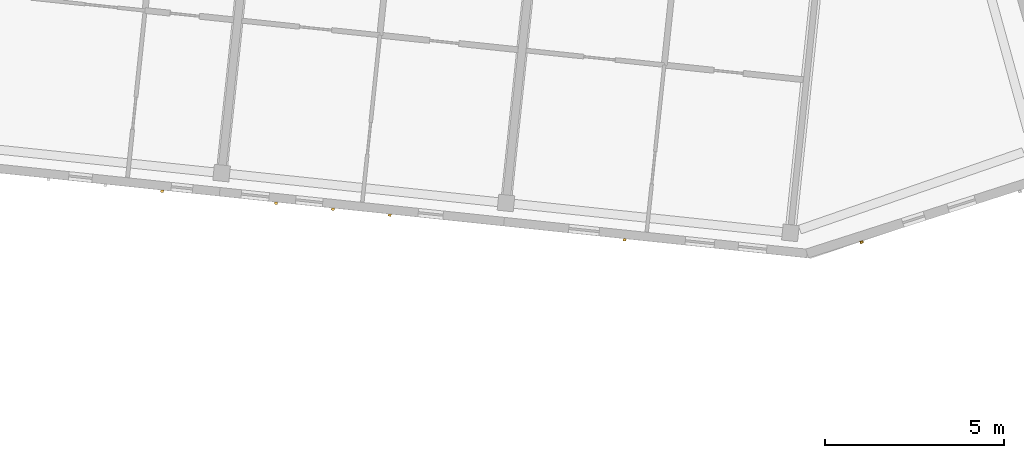
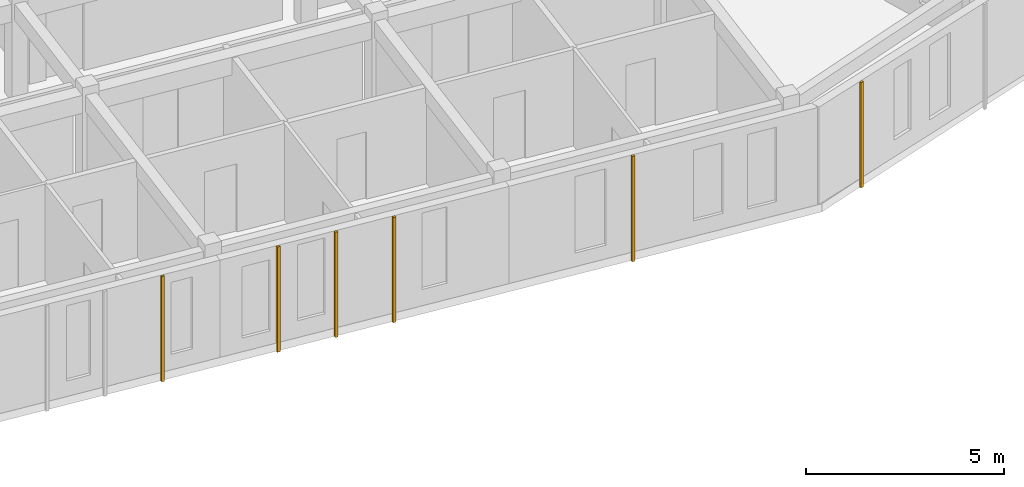
# One storey, part 31 of 34: 6 coverings.
"""IFC4 building model written with IfcOpenShell, lengths in metres."""

from ifc_helpers import new_model, si_unit, direction, frame, origin, origin_2d, place, context, subcontext, project, spatial, rectangle, extrude, material, layer, layer_set, type_object, element, save


model = new_model("IFC4")

# Units and contexts
model_context = context("Model", 3, precision=1e-05, world=origin(), true_north=direction((0.0, 1.0)))
body_context = subcontext(model_context, "Body", "Model", "MODEL_VIEW")
ifc_project = project(units=[si_unit("LENGTHUNIT", "METRE"), si_unit("AREAUNIT", "SQUARE_METRE"), si_unit("VOLUMEUNIT", "CUBIC_METRE"), si_unit("PLANEANGLEUNIT", "RADIAN"), si_unit("MASSUNIT", "GRAM", prefix="KILO")], contexts=[model_context])

# Site, building, storey
site_placement = place(None, origin())
site = spatial("IfcSite", under=ifc_project, at=site_placement, CompositionType="ELEMENT")
building_placement = place(site_placement, origin())
building = spatial("IfcBuilding", under=site, at=building_placement, Name="Kestramere Prow Commons", CompositionType="ELEMENT")
storey_placement = place(building_placement, frame((0.0, 0.0, 34.39990234375)))
storey = spatial("IfcBuildingStorey", under=building, at=storey_placement, Name="L10", CompositionType="ELEMENT", Elevation=34.39990234375)

# Coverings
ifc_material = material(Name="Weathered Zinc-Titanium Standing-Seam Cladding")
ifc_layer = layer(ifc_material, 0.074951171875)
ifc_layer_set = layer_set([ifc_layer], Name="Weathered Zinc-Titanium Standing-Seam Cladding")
covering_type = type_object("IfcCoveringType", Name="COV-CLAD-SEAM", PredefinedType="CLADDING", material=ifc_layer_set)
for number, where, z_axis, x_axis, name in (
    (1, (140.16259765625, 90.948486328125, -0.25), (0.0, 0.0, 1.0), (-0.994521895368, 0.104528463268, 0.0), "EW-B-L10-S-3 Standing-Seam Rib 1"),
    (2, (146.527587890625, 90.279541015625, -0.25), (0.0, 0.0, 1.0), (-0.994521895368, 0.104528463268, 0.0), "EW-B-L10-S-4 Standing-Seam Rib 2"),
    (3, (144.936279296875, 90.44677734375, -0.25), (0.0, 0.0, 1.0), (-0.994521895368, 0.104528463268, 0.0), "EW-B-L10-S-4 Standing-Seam Rib 3"),
    (4, (143.34521484375, 90.614013671875, -0.25), (0.0, 0.0, 1.0), (-0.994521895368, 0.104528463268, 0.0), "EW-B-L10-S-4 Standing-Seam Rib 4"),
    (5, (153.101318359375, 89.588623046875, -0.25), (0.0, 0.0, 1.0), (-0.994521895368, 0.104528463268, 0.0), "EW-B-L10-S-5 Standing-Seam Rib 3"),
    (6, (159.73046875, 89.524169921875, -0.25), (0.0, 0.0, 1.0), (-0.952283464374, -0.305215011884, 0.0), "EW-B-L10-PRW-S Standing-Seam Rib 4"),
):
    element("IfcCovering", number, at=place(storey_placement, frame(where, z_axis=z_axis, x_axis=x_axis)), inside=storey, type_object=covering_type, Name=name, PredefinedType="CLADDING", context=body_context, shape_type="SweptSolid", body=[
        extrude(rectangle(XDim=0.0849609375, YDim=0.06494140625, at=origin_2d()), origin(), (0.0, 0.0, 1.0), 3.25),
    ])

save(model, "model.ifc")
